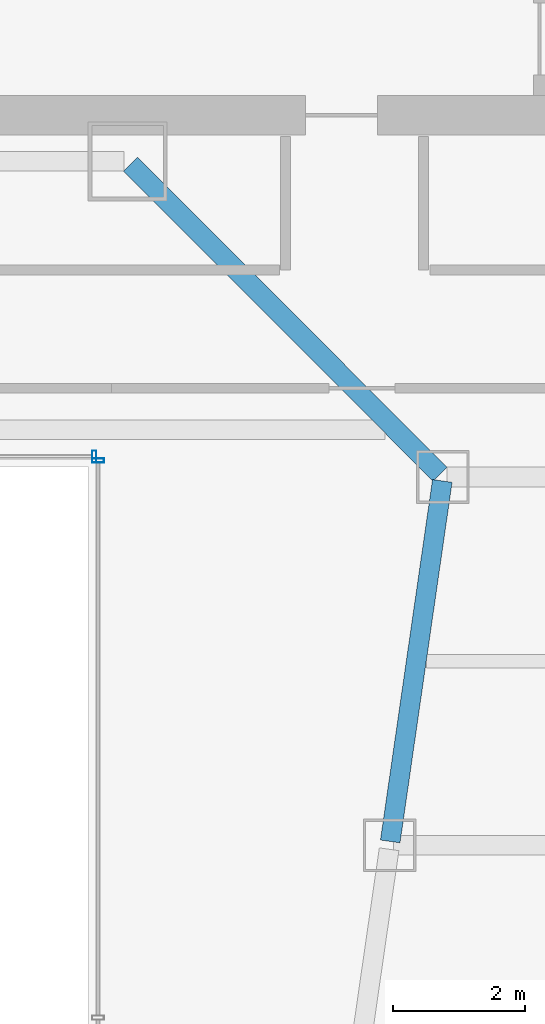
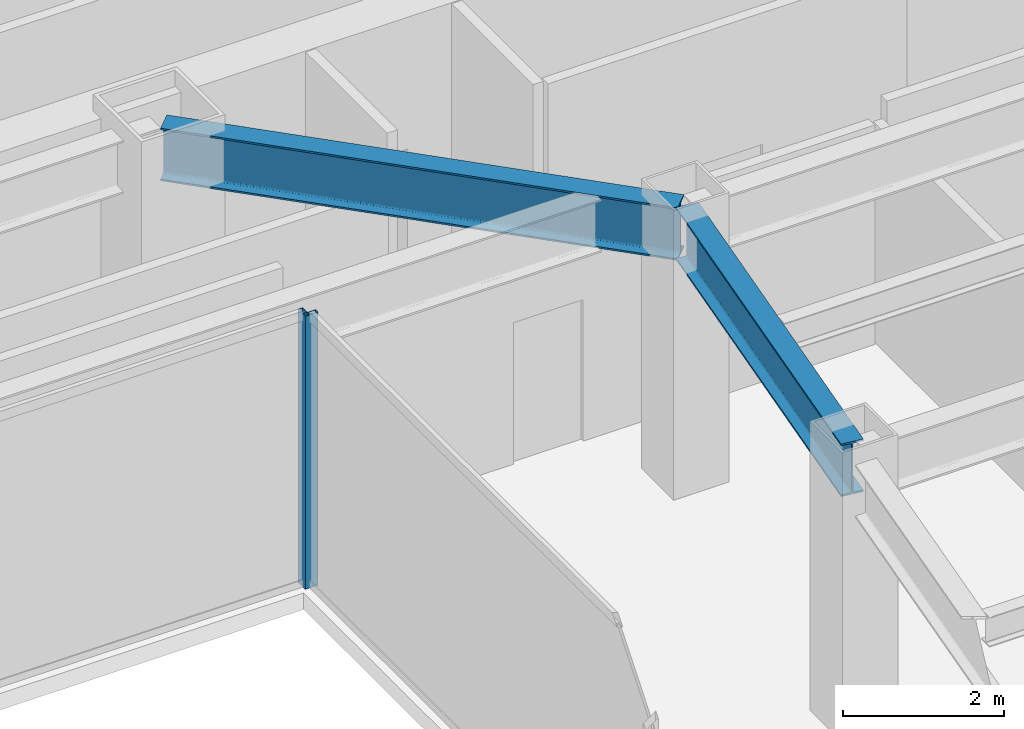
# One storey, part 29 of 47: 2 beams, 2 members, 2 elements without a shape of their own.
"""IFC4 building model written with IfcOpenShell, lengths in metres."""

import ifcopenshell
import ifcopenshell.guid

model = None  # the IFC model being written
_history = None  # IfcOwnerHistory: only IFC2X3 demands one
_inside = {}  # id of a spatial element -> (the spatial element, [elements in it])
_under = {}  # id of a project, library or spatial element -> (it, [spatial elements below it])
_declared = {}  # id of a project -> (the project, [libraries it declares])
_typed = {}  # id of a type object -> (the type object, [elements of that type])
_made_of = {}  # id of a material, layer set ... -> (it, [elements and type objects made of it])


def new_model(schema):
    """Start an empty IFC model of exactly this schema.

    Asked for "IFC4X3", IfcOpenShell would pick the latest addendum, in which some entities
    have other attributes; the version numbers below select the first issue.
    IFC2X3 requires an IfcOwnerHistory on every rooted entity: one is made here for all.
    """
    global model, _history
    if schema == "IFC4X3":
        model = ifcopenshell.file(schema_version=(4, 3, 0, 0))
    else:
        model = ifcopenshell.file(schema=schema)
    _inside.clear()
    _under.clear()
    _declared.clear()
    _typed.clear()
    _made_of.clear()
    _history = None
    if model.schema == "IFC2X3":
        org = make("IfcOrganization", Name="unknown")
        user = make(
            "IfcPersonAndOrganization",
            ThePerson=make("IfcPerson", FamilyName="unknown"),
            TheOrganization=org,
        )
        app = make(
            "IfcApplication",
            ApplicationDeveloper=org,
            Version="unknown",
            ApplicationFullName="unknown",
            ApplicationIdentifier="unknown",
        )
        _history = make(
            "IfcOwnerHistory",
            OwningUser=user,
            OwningApplication=app,
            ChangeAction="ADDED",
            CreationDate=0,
        )
    return model


def make(cls, **values):
    """One entity of the class cls with the attributes given. An attribute that is None is left unset."""
    return model.create_entity(
        cls, **{name: value for name, value in values.items() if value is not None}
    )


def rooted(cls, **values):
    """An entity with a GlobalId (a new one), such as an element, a storey or a relation."""
    return make(cls, GlobalId=ifcopenshell.guid.new(), OwnerHistory=_history, **values)


def si_unit(unit_type, name, prefix=None):
    """IfcSIUnit, for example si_unit("LENGTHUNIT", "METRE", prefix="MILLI")."""
    return make("IfcSIUnit", UnitType=unit_type, Prefix=prefix, Name=name)


def assignment(units):
    """IfcUnitAssignment: the units of a project."""
    return None if units is None else make("IfcUnitAssignment", Units=units)


def point(xyz):
    """IfcCartesianPoint."""
    return None if xyz is None else make("IfcCartesianPoint", Coordinates=xyz)


def direction(xyz):
    """IfcDirection."""
    return None if xyz is None else make("IfcDirection", DirectionRatios=xyz)


def frame(location, z_axis=None, x_axis=None):
    """IfcAxis2Placement3D, a coordinate frame: its origin and axes. An axis left out is left unset."""
    return make(
        "IfcAxis2Placement3D",
        Location=point(location),
        Axis=direction(z_axis),
        RefDirection=direction(x_axis),
    )


def frame_2d(location, x_axis=None):
    """IfcAxis2Placement2D, a coordinate frame in the plane: its origin and x axis."""
    return make(
        "IfcAxis2Placement2D", Location=point(location), RefDirection=direction(x_axis)
    )


def origin():
    """The frame at (0, 0, 0) with its axes left unset."""
    return frame((0.0, 0.0, 0.0))


def origin_2d():
    """The frame at (0, 0) in the plane with its x axis left unset."""
    return frame_2d((0.0, 0.0))


def place(relative_to, where):
    """IfcLocalPlacement: puts the frame where relative to a parent placement (None: the world)."""
    return make(
        "IfcLocalPlacement", PlacementRelTo=relative_to, RelativePlacement=where
    )


def context(
    kind, dimensions, precision=None, world=None, true_north=None, identifier=None
):
    """IfcGeometricRepresentationContext, for example the 3D "Model" context."""
    return make(
        "IfcGeometricRepresentationContext",
        ContextIdentifier=identifier,
        ContextType=kind,
        CoordinateSpaceDimension=dimensions,
        Precision=precision,
        WorldCoordinateSystem=world,
        TrueNorth=true_north,
    )


def subcontext(parent, identifier, kind, view, scale=None):
    """IfcGeometricRepresentationSubContext, for example "Body" below "Model"."""
    return make(
        "IfcGeometricRepresentationSubContext",
        ContextIdentifier=identifier,
        ContextType=kind,
        ParentContext=parent,
        TargetScale=scale,
        TargetView=view,
    )


def project(units=None, contexts=None):
    """IfcProject with its units and contexts."""
    return rooted(
        "IfcProject",
        Name="project",
        RepresentationContexts=contexts,
        UnitsInContext=assignment(units),
    )


def spatial(cls, under=None, at=None, **own):
    """A site, building, storey or space (cls), placed at a placement, below another one or the project."""
    s = rooted(cls, ObjectPlacement=at, **own)
    if under is not None:
        _under.setdefault(under.id(), (under, []))[1].append(s)
    return s


def profile(cls, at=None, kind="AREA", **sizes):
    """A parametric profile (cls). Its sizes go by their IFC names, for example OverallWidth=200.0."""
    return make(cls, ProfileType=kind, Position=at, **sizes)


def hollow_rectangle(**sizes):
    """IfcRectangleHollowProfileDef."""
    return profile("IfcRectangleHollowProfileDef", **sizes)


def i_section(**sizes):
    """IfcIShapeProfileDef."""
    return profile("IfcIShapeProfileDef", **sizes)


def extrude(swept, where, along, depth):
    """IfcExtrudedAreaSolid: the profile swept, set in the frame where, extruded along a direction by depth."""
    return make(
        "IfcExtrudedAreaSolid",
        SweptArea=swept,
        Position=where,
        ExtrudedDirection=direction(along),
        Depth=depth,
    )


def shape(context_of_items, identifier, shape_type, items):
    """IfcShapeRepresentation: the items that make up one representation, for example the "Body"."""
    return make(
        "IfcShapeRepresentation",
        ContextOfItems=context_of_items,
        RepresentationIdentifier=identifier,
        RepresentationType=shape_type,
        Items=items,
    )


def material(Name=None, Category=None):
    """IfcMaterial."""
    return make("IfcMaterial", Name=Name, Category=Category)


def material_profile(
    of_material, cross_section, Name=None, Category=None, Priority=None
):
    """IfcMaterialProfile: a cross section and its material."""
    return make(
        "IfcMaterialProfile",
        Name=Name,
        Material=of_material,
        Profile=cross_section,
        Priority=Priority,
        Category=Category,
    )


def profile_set(profiles, Name=None, composite=None):
    """IfcMaterialProfileSet."""
    return make(
        "IfcMaterialProfileSet",
        Name=Name,
        MaterialProfiles=profiles,
        CompositeProfile=composite,
    )


def made_of(thing, what):
    """Note that an element or type object is made of a material, layer set ...; save() writes the relation."""
    if what is not None:
        _made_of.setdefault(what.id(), (what, []))[1].append(thing)
    return thing


def type_object(cls, material=None, **own):
    """A type object (cls), such as IfcWallType, which elements share."""
    return made_of(rooted(cls, **own), material)


def element(
    cls,
    number,
    at=None,
    inside=None,
    cuts=None,
    type_object=None,
    material=None,
    context=None,
    identifier="Body",
    shape_type=None,
    held_by="IfcProductDefinitionShape",
    body=None,
    shapes=None,
    **own,
):
    """One element of the class cls, such as IfcWall. Its Tag is "e" and its number.

    at: its placement. inside: the storey or other place that contains it. cuts: it is an
    opening in that element (IfcRelVoidsElement). A single representation is given by context,
    identifier, shape_type and body (its items); several are given by shapes. held_by: the class
    of the entity that holds the representations. save() writes the other relations.
    """
    e = rooted(cls, Tag="e%d" % number, ObjectPlacement=at, **own)
    if body is not None:
        shapes = [shape(context, identifier, shape_type, body)]
    if shapes is not None:
        e.Representation = make(held_by, Representations=shapes)
    if inside is not None:
        _inside.setdefault(inside.id(), (inside, []))[1].append(e)
    if cuts is not None:
        rooted(
            "IfcRelVoidsElement", RelatingBuildingElement=cuts, RelatedOpeningElement=e
        )
    if type_object is not None:
        _typed.setdefault(type_object.id(), (type_object, []))[1].append(e)
    return made_of(e, material)


def aggregate(whole, parts):
    """IfcRelAggregates: a whole, such as a stair, and the parts it consists of."""
    return rooted("IfcRelAggregates", RelatingObject=whole, RelatedObjects=parts)


def save(model, path):
    """Write the relations noted so far, then the file.

    IfcRelAggregates (storeys below a building ...), IfcRelContainedInSpatialStructure (elements
    in a storey), IfcRelDefinesByType, IfcRelAssociatesMaterial and IfcRelDeclares: one each for
    every whole, place, type object, material and project.
    """
    for whole, parts in _under.values():
        aggregate(whole, parts)
    for where, things in _inside.values():
        rooted(
            "IfcRelContainedInSpatialStructure",
            RelatedElements=things,
            RelatingStructure=where,
        )
    for kind, things in _typed.values():
        rooted("IfcRelDefinesByType", RelatedObjects=things, RelatingType=kind)
    for what, things in _made_of.values():
        rooted("IfcRelAssociatesMaterial", RelatedObjects=things, RelatingMaterial=what)
    for by, libraries in _declared.values():
        rooted("IfcRelDeclares", RelatingContext=by, RelatedDefinitions=libraries)
    model.write(path)


model = new_model("IFC4")

# Units and contexts
model_context = context("Model", 3, precision=1e-05, world=origin(), true_north=direction((0.0, 1.0)))
body_context = subcontext(model_context, "Body", "Model", "MODEL_VIEW")
ifc_project = project(units=[si_unit("LENGTHUNIT", "METRE"), si_unit("AREAUNIT", "SQUARE_METRE"), si_unit("VOLUMEUNIT", "CUBIC_METRE"), si_unit("PLANEANGLEUNIT", "RADIAN"), si_unit("MASSUNIT", "GRAM", prefix="KILO")], contexts=[model_context])

# Site, building, storey
site_placement = place(None, origin())
site = spatial("IfcSite", under=ifc_project, at=site_placement, CompositionType="ELEMENT")
building_placement = place(site_placement, origin())
building = spatial("IfcBuilding", under=site, at=building_placement, Name="Saevonmaru Cultural Tower", CompositionType="ELEMENT")
storey_placement = place(building_placement, frame((0.0, 0.0, 78.0)))
storey = spatial("IfcBuildingStorey", under=building, at=storey_placement, Name="L16", CompositionType="ELEMENT", Elevation=78.0)

# Beams
ifc_material_1 = material(Name="Steel SM420", Category="steel")
ifc_material_profile_1 = material_profile(ifc_material_1, i_section(OverallWidth=0.300048828125, OverallDepth=0.800048828125, WebThickness=0.013916015625, FlangeThickness=0.02587890625, FilletRadius=0.028076171875, at=origin_2d()), Name="H-800x300x14x26")
ifc_profile_set_1 = profile_set([ifc_material_profile_1], Name="Steel SM420")
beam_type = type_object("IfcBeamType", Name="BM-G-H800", PredefinedType="BEAM", material=ifc_profile_set_1)
beam_1_placement = place(storey_placement, frame((40.3916015625, 32.059326171875, 3.75), z_axis=(0.142964121327, 0.989727871697, 0.0), x_axis=(-0.989727871697, 0.142964121327, 0.0)))
element("IfcBeam", 1, at=beam_1_placement, inside=storey, type_object=beam_type, Name="L16 East Atrium Girder 5", PredefinedType="BEAM", context=body_context, shape_type="SweptSolid", body=[
    extrude(i_section(OverallWidth=0.300048828125, OverallDepth=0.800048828125, WebThickness=0.013916015625, FlangeThickness=0.02587890625, FilletRadius=0.028076171875, at=origin_2d()), origin(), (0.0, 0.0, 1.0), 5.5380859375),
])
beam_2_placement = place(storey_placement, frame((41.149658203125, 37.642578125, 3.75), z_axis=(-0.706538566564, 0.707674539572, 0.0), x_axis=(-0.707674539572, -0.706538566564, 0.0)))
element("IfcBeam", 2, at=beam_2_placement, inside=storey, type_object=beam_type, Name="L16 East Atrium Girder 6", PredefinedType="BEAM", context=body_context, shape_type="SweptSolid", body=[
    extrude(i_section(OverallWidth=0.300048828125, OverallDepth=0.800048828125, WebThickness=0.013916015625, FlangeThickness=0.02587890625, FilletRadius=0.028076171875, at=origin_2d()), origin(), (0.0, 0.0, 1.0), 6.662353515625),
])

# Curtain wall, member
ifc_material_2 = material(Name="Satin Bronze Anodised Aluminium", Category="aluminium")
curtain_wall_type = type_object("IfcCurtainWallType", Name="CW-ATR-GLZ", PredefinedType="NOTDEFINED", material=ifc_material_2)
curtain_wall_1_placement = place(storey_placement, origin())
curtain_wall_1 = element("IfcCurtainWall", 3, at=curtain_wall_1_placement, inside=storey, type_object=curtain_wall_type, Name="L16 Vertical Atrium Glazed Smoke Screen 2", PredefinedType="NOTDEFINED")
ifc_material_profile_2 = material_profile(ifc_material_2, hollow_rectangle(XDim=0.06494140625, YDim=0.179931640625, WallThickness=0.00390625, at=origin_2d()), Name="ALU-MULL-180x65x4")
ifc_profile_set_2 = profile_set([ifc_material_profile_2], Name="Satin Bronze Anodised Aluminium")
member_type = type_object("IfcMemberType", Name="ML-CW-INT-180x65", PredefinedType="MULLION", material=ifc_profile_set_2)
member_1_placement = place(storey_placement, frame((35.949951171875, 37.85009765625, 0.0), z_axis=(0.0, 0.0, 1.0), x_axis=(0.0, 1.0, 0.0)))
member_1 = element("IfcMember", 4, at=member_1_placement, type_object=member_type, Name="CW-ATR-L16-2 mullion 3", PredefinedType="MULLION", context=body_context, shape_type="SweptSolid", body=[
    extrude(hollow_rectangle(XDim=0.06494140625, YDim=0.179931640625, WallThickness=0.00390625, at=origin_2d()), origin(), (0.0, 0.0, 1.0), 4.14990234375),
])
aggregate(curtain_wall_1, [member_1])

curtain_wall_2_placement = place(storey_placement, origin())
curtain_wall_2 = element("IfcCurtainWall", 5, at=curtain_wall_2_placement, inside=storey, type_object=curtain_wall_type, Name="L16 Vertical Atrium Glazed Smoke Screen 3", PredefinedType="NOTDEFINED")
member_2_placement = place(storey_placement, frame((35.889892578125, 37.909912109375, 0.0), z_axis=(0.0, 0.0, 1.0), x_axis=(-1.0, 0.0, 0.0)))
member_2 = element("IfcMember", 6, at=member_2_placement, type_object=member_type, Name="CW-ATR-L16-3 mullion 1", PredefinedType="MULLION", context=body_context, shape_type="SweptSolid", body=[
    extrude(hollow_rectangle(XDim=0.06494140625, YDim=0.179931640625, WallThickness=0.00390625, at=origin_2d()), origin(), (0.0, 0.0, 1.0), 4.14990234375),
])
aggregate(curtain_wall_2, [member_2])

save(model, "model.ifc")
